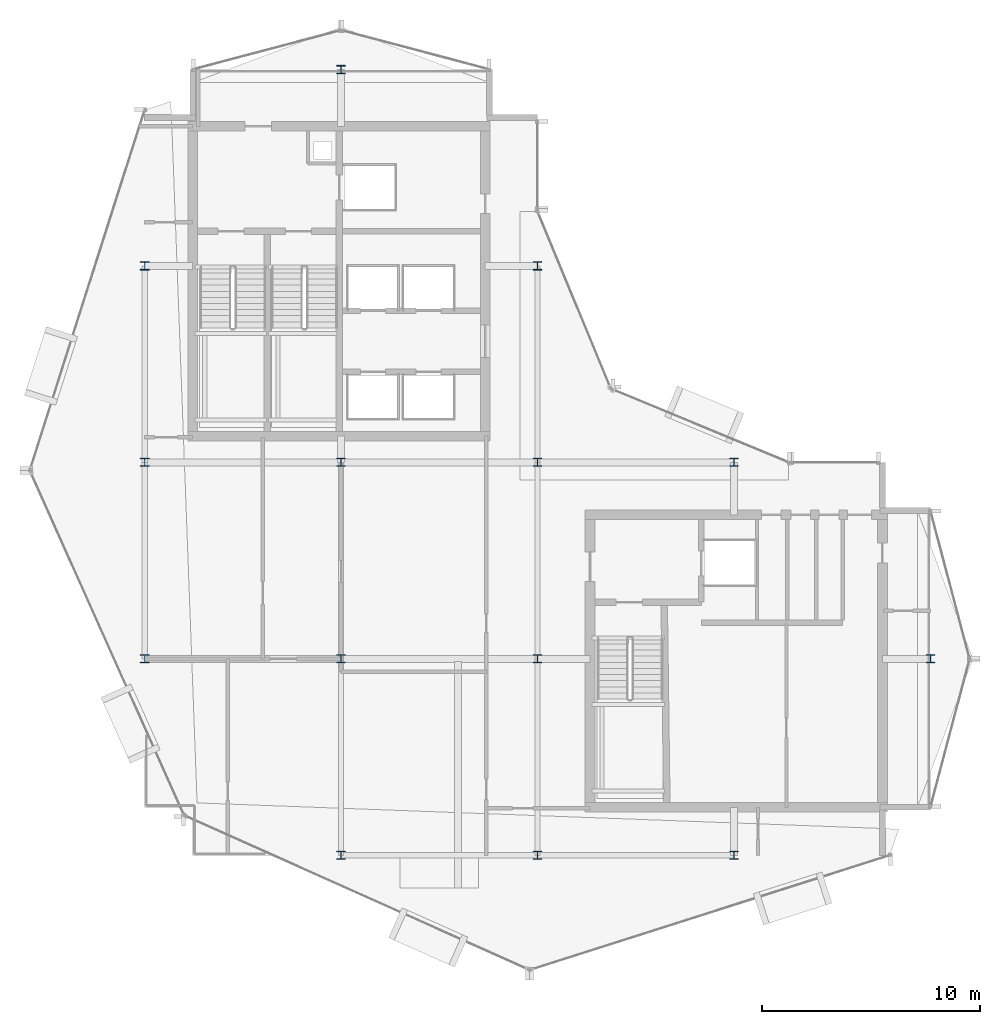
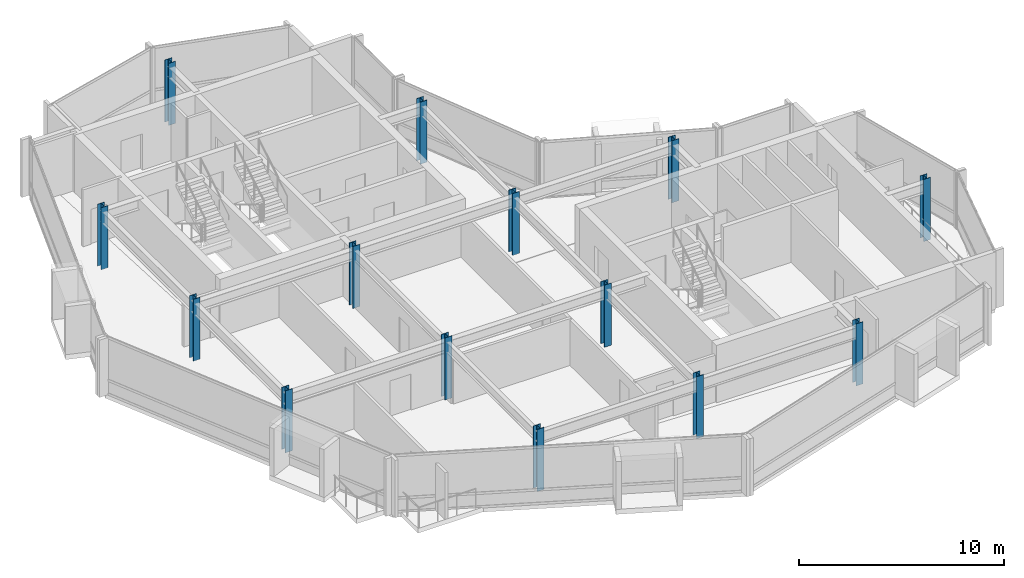
# One storey, part 1 of 19: 14 columns.
"""IFC4 building model written with IfcOpenShell, lengths in metres."""

from ifc_helpers import new_model, si_unit, direction, frame, origin, origin_2d, place, context, subcontext, project, spatial, i_section, extrude, material, material_profile, profile_set, type_object, element, save


model = new_model("IFC4")

# Units and contexts
model_context = context("Model", 3, precision=1e-05, world=origin(), true_north=direction((0.0, 1.0)))
body_context = subcontext(model_context, "Body", "Model", "MODEL_VIEW")
ifc_project = project(units=[si_unit("LENGTHUNIT", "METRE"), si_unit("AREAUNIT", "SQUARE_METRE"), si_unit("VOLUMEUNIT", "CUBIC_METRE"), si_unit("PLANEANGLEUNIT", "RADIAN"), si_unit("MASSUNIT", "GRAM", prefix="KILO")], contexts=[model_context])

# Site, building, storey
site_placement = place(None, origin())
site = spatial("IfcSite", under=ifc_project, at=site_placement, CompositionType="ELEMENT")
building_placement = place(site_placement, origin())
building = spatial("IfcBuilding", under=site, at=building_placement, Name="Solvaryn Broadcast Tower", CompositionType="ELEMENT")
storey_placement = place(building_placement, frame((0.0, 0.0, 274.10009765625)))
storey = spatial("IfcBuildingStorey", under=building, at=storey_placement, Name="L69", CompositionType="ELEMENT", Elevation=274.10009765625)

# Columns
ifc_material_1 = material(Name="Steel ASTM A913 Grade 65", Category="steel")
ifc_material_profile_1 = material_profile(ifc_material_1, i_section(OverallWidth=0.39404296875, OverallDepth=0.375, WebThickness=0.017333984375, FlangeThickness=0.027587890625, FilletRadius=0.014892578125, at=origin_2d()))
ifc_profile_set_1 = profile_set([ifc_material_profile_1], Name="Steel ASTM A913 Grade 65")
column_type_1 = type_object("IfcColumnType", Name="COL-C10E-W14X145", PredefinedType="COLUMN", material=ifc_profile_set_1)
for number, where, z_axis, x_axis, name in (
    (1, (9.0, 18.0, 0.0), (0.0, 0.0, 1.0), (1.0, 0.0, 0.0), "L69 Column (9.0, 18.0)"),
    (2, (9.0, 27.0, 0.0), (0.0, 0.0, 1.0), (1.0, 0.0, 0.0), "L69 Column (9.0, 27.0)"),
    (3, (9.0, 36.0, 0.0), (0.0, 0.0, 1.0), (1.0, 0.0, 0.0), "L69 Column (9.0, 36.0)"),
    (4, (18.0, 9.0, 0.0), (0.0, 0.0, 1.0), (1.0, 0.0, 0.0), "L69 Column (18.0, 9.0)"),
    (5, (18.0, 45.0, 0.0), (0.0, 0.0, 1.0), (1.0, 0.0, 0.0), "L69 Column (18.0, 45.0)"),
    (6, (27.0, 9.0, 0.0), (0.0, 0.0, 1.0), (1.0, 0.0, 0.0), "L69 Column (27.0, 9.0)"),
    (7, (27.0, 36.0, 0.0), (0.0, 0.0, 1.0), (1.0, 0.0, 0.0), "L69 Column (27.0, 36.0)"),
    (8, (36.0, 9.0, 0.0), (0.0, 0.0, 1.0), (1.0, 0.0, 0.0), "L69 Column (36.0, 9.0)"),
    (9, (36.0, 27.0, 0.0), (0.0, 0.0, 1.0), (1.0, 0.0, 0.0), "L69 Column (36.0, 27.0)"),
    (10, (45.0, 18.0, 0.0), (0.0, 0.0, 1.0), (1.0, 0.0, 0.0), "L69 Column (45.0, 18.0)"),
):
    element("IfcColumn", number, at=place(storey_placement, frame(where, z_axis=z_axis, x_axis=x_axis)), inside=storey, type_object=column_type_1, Name=name, PredefinedType="COLUMN", context=body_context, shape_type="SweptSolid", body=[
        extrude(i_section(OverallWidth=0.39404296875, OverallDepth=0.375, WebThickness=0.017333984375, FlangeThickness=0.027587890625, FilletRadius=0.014892578125, at=origin_2d()), origin(), (0.0, 0.0, 1.0), 3.699951171875),
    ])
ifc_material_2 = material(Name="Steel ASTM A913 Grade 65", Category="steel")
ifc_material_profile_2 = material_profile(ifc_material_2, i_section(OverallWidth=0.39404296875, OverallDepth=0.375, WebThickness=0.017333984375, FlangeThickness=0.027587890625, FilletRadius=0.014892578125, at=origin_2d()))
ifc_profile_set_2 = profile_set([ifc_material_profile_2], Name="Steel ASTM A913 Grade 65")
column_type_2 = type_object("IfcColumnType", Name="COL-C10I-W14X145", PredefinedType="COLUMN", material=ifc_profile_set_2)
for number, where, z_axis, x_axis, name in (
    (11, (18.0, 18.0, 0.0), (0.0, 0.0, 1.0), (1.0, 0.0, 0.0), "L69 Column (18.0, 18.0)"),
    (12, (18.0, 27.0, 0.0), (0.0, 0.0, 1.0), (1.0, 0.0, 0.0), "L69 Column (18.0, 27.0)"),
    (13, (27.0, 18.0, 0.0), (0.0, 0.0, 1.0), (1.0, 0.0, 0.0), "L69 Column (27.0, 18.0)"),
    (14, (27.0, 27.0, 0.0), (0.0, 0.0, 1.0), (1.0, 0.0, 0.0), "L69 Column (27.0, 27.0)"),
):
    element("IfcColumn", number, at=place(storey_placement, frame(where, z_axis=z_axis, x_axis=x_axis)), inside=storey, type_object=column_type_2, Name=name, PredefinedType="COLUMN", context=body_context, shape_type="SweptSolid", body=[
        extrude(i_section(OverallWidth=0.39404296875, OverallDepth=0.375, WebThickness=0.017333984375, FlangeThickness=0.027587890625, FilletRadius=0.014892578125, at=origin_2d()), origin(), (0.0, 0.0, 1.0), 3.699951171875),
    ])

save(model, "model.ifc")
